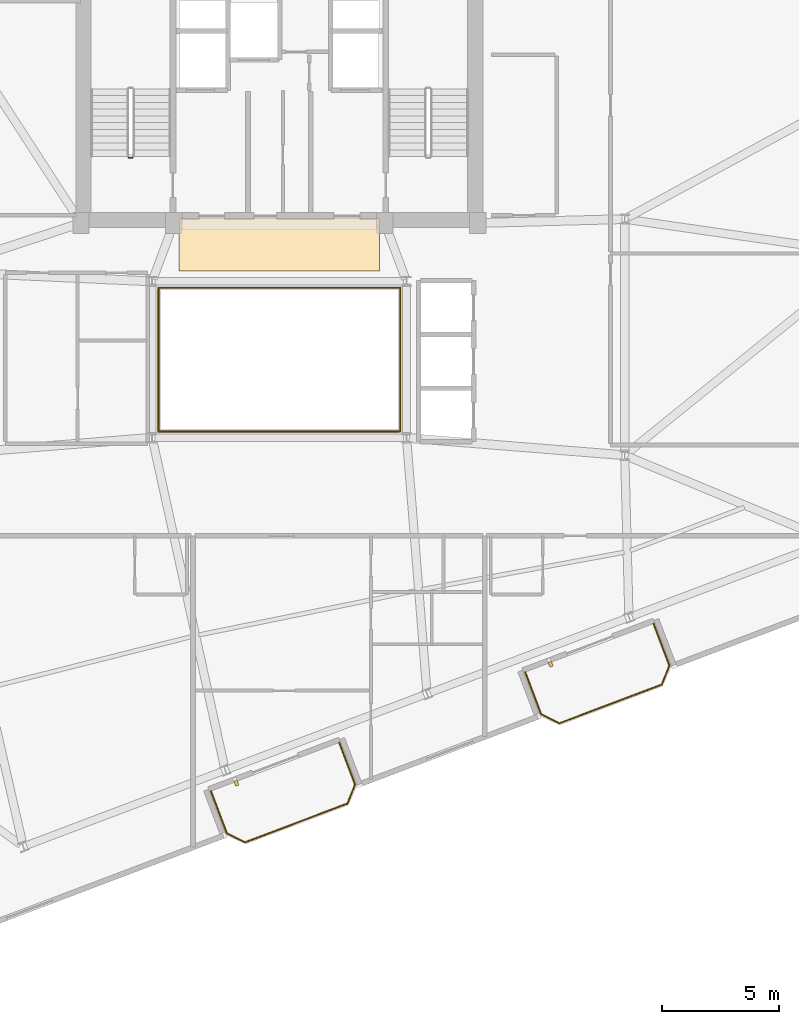
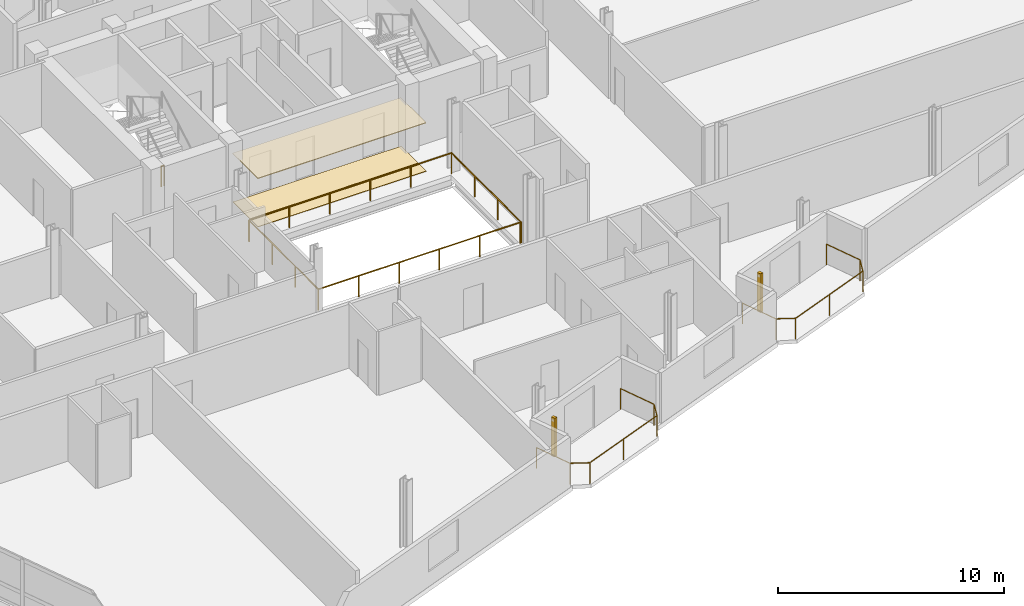
# One storey, part 22 of 23: 5 railings, 2 coverings, 2 shading devices.
"""IFC4 building model written with IfcOpenShell, lengths in metres."""

import ifcopenshell
import ifcopenshell.guid

model = None  # the IFC model being written
_history = None  # IfcOwnerHistory: only IFC2X3 demands one
_inside = {}  # id of a spatial element -> (the spatial element, [elements in it])
_under = {}  # id of a project, library or spatial element -> (it, [spatial elements below it])
_declared = {}  # id of a project -> (the project, [libraries it declares])
_typed = {}  # id of a type object -> (the type object, [elements of that type])
_made_of = {}  # id of a material, layer set ... -> (it, [elements and type objects made of it])


def new_model(schema):
    """Start an empty IFC model of exactly this schema.

    Asked for "IFC4X3", IfcOpenShell would pick the latest addendum, in which some entities
    have other attributes; the version numbers below select the first issue.
    IFC2X3 requires an IfcOwnerHistory on every rooted entity: one is made here for all.
    """
    global model, _history
    if schema == "IFC4X3":
        model = ifcopenshell.file(schema_version=(4, 3, 0, 0))
    else:
        model = ifcopenshell.file(schema=schema)
    _inside.clear()
    _under.clear()
    _declared.clear()
    _typed.clear()
    _made_of.clear()
    _history = None
    if model.schema == "IFC2X3":
        org = make("IfcOrganization", Name="unknown")
        user = make(
            "IfcPersonAndOrganization",
            ThePerson=make("IfcPerson", FamilyName="unknown"),
            TheOrganization=org,
        )
        app = make(
            "IfcApplication",
            ApplicationDeveloper=org,
            Version="unknown",
            ApplicationFullName="unknown",
            ApplicationIdentifier="unknown",
        )
        _history = make(
            "IfcOwnerHistory",
            OwningUser=user,
            OwningApplication=app,
            ChangeAction="ADDED",
            CreationDate=0,
        )
    return model


def make(cls, **values):
    """One entity of the class cls with the attributes given. An attribute that is None is left unset."""
    return model.create_entity(
        cls, **{name: value for name, value in values.items() if value is not None}
    )


def rooted(cls, **values):
    """An entity with a GlobalId (a new one), such as an element, a storey or a relation."""
    return make(cls, GlobalId=ifcopenshell.guid.new(), OwnerHistory=_history, **values)


def si_unit(unit_type, name, prefix=None):
    """IfcSIUnit, for example si_unit("LENGTHUNIT", "METRE", prefix="MILLI")."""
    return make("IfcSIUnit", UnitType=unit_type, Prefix=prefix, Name=name)


def assignment(units):
    """IfcUnitAssignment: the units of a project."""
    return None if units is None else make("IfcUnitAssignment", Units=units)


def point(xyz):
    """IfcCartesianPoint."""
    return None if xyz is None else make("IfcCartesianPoint", Coordinates=xyz)


def direction(xyz):
    """IfcDirection."""
    return None if xyz is None else make("IfcDirection", DirectionRatios=xyz)


def frame(location, z_axis=None, x_axis=None):
    """IfcAxis2Placement3D, a coordinate frame: its origin and axes. An axis left out is left unset."""
    return make(
        "IfcAxis2Placement3D",
        Location=point(location),
        Axis=direction(z_axis),
        RefDirection=direction(x_axis),
    )


def frame_2d(location, x_axis=None):
    """IfcAxis2Placement2D, a coordinate frame in the plane: its origin and x axis."""
    return make(
        "IfcAxis2Placement2D", Location=point(location), RefDirection=direction(x_axis)
    )


def origin():
    """The frame at (0, 0, 0) with its axes left unset."""
    return frame((0.0, 0.0, 0.0))


def origin_2d():
    """The frame at (0, 0) in the plane with its x axis left unset."""
    return frame_2d((0.0, 0.0))


def place(relative_to, where):
    """IfcLocalPlacement: puts the frame where relative to a parent placement (None: the world)."""
    return make(
        "IfcLocalPlacement", PlacementRelTo=relative_to, RelativePlacement=where
    )


def context(
    kind, dimensions, precision=None, world=None, true_north=None, identifier=None
):
    """IfcGeometricRepresentationContext, for example the 3D "Model" context."""
    return make(
        "IfcGeometricRepresentationContext",
        ContextIdentifier=identifier,
        ContextType=kind,
        CoordinateSpaceDimension=dimensions,
        Precision=precision,
        WorldCoordinateSystem=world,
        TrueNorth=true_north,
    )


def subcontext(parent, identifier, kind, view, scale=None):
    """IfcGeometricRepresentationSubContext, for example "Body" below "Model"."""
    return make(
        "IfcGeometricRepresentationSubContext",
        ContextIdentifier=identifier,
        ContextType=kind,
        ParentContext=parent,
        TargetScale=scale,
        TargetView=view,
    )


def project(units=None, contexts=None):
    """IfcProject with its units and contexts."""
    return rooted(
        "IfcProject",
        Name="project",
        RepresentationContexts=contexts,
        UnitsInContext=assignment(units),
    )


def spatial(cls, under=None, at=None, **own):
    """A site, building, storey or space (cls), placed at a placement, below another one or the project."""
    s = rooted(cls, ObjectPlacement=at, **own)
    if under is not None:
        _under.setdefault(under.id(), (under, []))[1].append(s)
    return s


def profile(cls, at=None, kind="AREA", **sizes):
    """A parametric profile (cls). Its sizes go by their IFC names, for example OverallWidth=200.0."""
    return make(cls, ProfileType=kind, Position=at, **sizes)


def rectangle(**sizes):
    """IfcRectangleProfileDef."""
    return profile("IfcRectangleProfileDef", **sizes)


def circle(**sizes):
    """IfcCircleProfileDef."""
    return profile("IfcCircleProfileDef", **sizes)


def extrude(swept, where, along, depth):
    """IfcExtrudedAreaSolid: the profile swept, set in the frame where, extruded along a direction by depth."""
    return make(
        "IfcExtrudedAreaSolid",
        SweptArea=swept,
        Position=where,
        ExtrudedDirection=direction(along),
        Depth=depth,
    )


def shape(context_of_items, identifier, shape_type, items):
    """IfcShapeRepresentation: the items that make up one representation, for example the "Body"."""
    return make(
        "IfcShapeRepresentation",
        ContextOfItems=context_of_items,
        RepresentationIdentifier=identifier,
        RepresentationType=shape_type,
        Items=items,
    )


def source(mapping_origin, context_of_items, identifier, shape_type, items):
    """IfcRepresentationMap: a shape defined once, which mapped items show again and again."""
    return make(
        "IfcRepresentationMap",
        MappingOrigin=mapping_origin,
        MappedRepresentation=shape(context_of_items, identifier, shape_type, items),
    )


def transform(
    local_origin,
    x_axis=None,
    y_axis=None,
    z_axis=None,
    scale=None,
    scale2=None,
    scale3=None,
    uniform=True,
):
    """IfcCartesianTransformationOperator3D, or its non-uniform kind. x_axis, y_axis, z_axis: its Axis1, 2, 3."""
    if uniform:
        return make(
            "IfcCartesianTransformationOperator3D",
            Axis1=direction(x_axis),
            Axis2=direction(y_axis),
            LocalOrigin=point(local_origin),
            Scale=scale,
            Axis3=direction(z_axis),
        )
    return make(
        "IfcCartesianTransformationOperator3DnonUniform",
        Axis1=direction(x_axis),
        Axis2=direction(y_axis),
        LocalOrigin=point(local_origin),
        Scale=scale,
        Axis3=direction(z_axis),
        Scale2=scale2,
        Scale3=scale3,
    )


def mapped(mapping_source, mapping_target):
    """IfcMappedItem: shows the shape of a source again, moved by a transform."""
    return make(
        "IfcMappedItem", MappingSource=mapping_source, MappingTarget=mapping_target
    )


def material(Name=None, Category=None):
    """IfcMaterial."""
    return make("IfcMaterial", Name=Name, Category=Category)


def layer(
    of_material, thickness, ventilated=None, Name=None, Category=None, Priority=None
):
    """IfcMaterialLayer: one layer of a wall or slab, of a material (None: an air gap)."""
    return make(
        "IfcMaterialLayer",
        Material=of_material,
        LayerThickness=thickness,
        IsVentilated=ventilated,
        Name=Name,
        Category=Category,
        Priority=Priority,
    )


def layer_set(layers, Name=None):
    """IfcMaterialLayerSet."""
    return make("IfcMaterialLayerSet", MaterialLayers=layers, LayerSetName=Name)


def made_of(thing, what):
    """Note that an element or type object is made of a material, layer set ...; save() writes the relation."""
    if what is not None:
        _made_of.setdefault(what.id(), (what, []))[1].append(thing)
    return thing


def type_object(cls, material=None, **own):
    """A type object (cls), such as IfcWallType, which elements share."""
    return made_of(rooted(cls, **own), material)


def element(
    cls,
    number,
    at=None,
    inside=None,
    cuts=None,
    type_object=None,
    material=None,
    context=None,
    identifier="Body",
    shape_type=None,
    held_by="IfcProductDefinitionShape",
    body=None,
    shapes=None,
    **own,
):
    """One element of the class cls, such as IfcWall. Its Tag is "e" and its number.

    at: its placement. inside: the storey or other place that contains it. cuts: it is an
    opening in that element (IfcRelVoidsElement). A single representation is given by context,
    identifier, shape_type and body (its items); several are given by shapes. held_by: the class
    of the entity that holds the representations. save() writes the other relations.
    """
    e = rooted(cls, Tag="e%d" % number, ObjectPlacement=at, **own)
    if body is not None:
        shapes = [shape(context, identifier, shape_type, body)]
    if shapes is not None:
        e.Representation = make(held_by, Representations=shapes)
    if inside is not None:
        _inside.setdefault(inside.id(), (inside, []))[1].append(e)
    if cuts is not None:
        rooted(
            "IfcRelVoidsElement", RelatingBuildingElement=cuts, RelatedOpeningElement=e
        )
    if type_object is not None:
        _typed.setdefault(type_object.id(), (type_object, []))[1].append(e)
    return made_of(e, material)


def aggregate(whole, parts):
    """IfcRelAggregates: a whole, such as a stair, and the parts it consists of."""
    return rooted("IfcRelAggregates", RelatingObject=whole, RelatedObjects=parts)


def save(model, path):
    """Write the relations noted so far, then the file.

    IfcRelAggregates (storeys below a building ...), IfcRelContainedInSpatialStructure (elements
    in a storey), IfcRelDefinesByType, IfcRelAssociatesMaterial and IfcRelDeclares: one each for
    every whole, place, type object, material and project.
    """
    for whole, parts in _under.values():
        aggregate(whole, parts)
    for where, things in _inside.values():
        rooted(
            "IfcRelContainedInSpatialStructure",
            RelatedElements=things,
            RelatingStructure=where,
        )
    for kind, things in _typed.values():
        rooted("IfcRelDefinesByType", RelatedObjects=things, RelatingType=kind)
    for what, things in _made_of.values():
        rooted("IfcRelAssociatesMaterial", RelatedObjects=things, RelatingMaterial=what)
    for by, libraries in _declared.values():
        rooted("IfcRelDeclares", RelatingContext=by, RelatedDefinitions=libraries)
    model.write(path)


model = new_model("IFC4")

# Units and contexts
model_context = context("Model", 3, precision=1e-05, world=origin(), true_north=direction((0.0, 1.0)))
body_context = subcontext(model_context, "Body", "Model", "MODEL_VIEW")
ifc_project = project(units=[si_unit("LENGTHUNIT", "METRE"), si_unit("AREAUNIT", "SQUARE_METRE"), si_unit("VOLUMEUNIT", "CUBIC_METRE"), si_unit("PLANEANGLEUNIT", "RADIAN"), si_unit("MASSUNIT", "GRAM", prefix="KILO")], contexts=[model_context])

# Site, building, storey
site_placement = place(None, origin())
site = spatial("IfcSite", under=ifc_project, at=site_placement, CompositionType="ELEMENT")
building_placement = place(site_placement, origin())
building = spatial("IfcBuilding", under=site, at=building_placement, Name="Varnelok Gate Tower", CompositionType="ELEMENT")
storey_placement = place(building_placement, frame((0.0, 0.0, 227.5)))
storey = spatial("IfcBuildingStorey", under=building, at=storey_placement, Name="L58", CompositionType="ELEMENT", Elevation=227.5)

# Railings
ifc_material_1 = material(Name="Tempered Laminated Balustrade Glass", Category="glass")
railing_type_1 = type_object("IfcRailingType", Name="RL-ATR-GUARD1150", PredefinedType="GUARDRAIL", material=ifc_material_1)
railing_1_placement = place(storey_placement, frame((34.02001953125, 25.929931640625, 0.0)))
element("IfcRailing", 1, at=railing_1_placement, inside=storey, type_object=railing_type_1, Name="L58 Internal Atrium South-West Guardrail", PredefinedType="GUARDRAIL", context=body_context, shape_type="SweptSolid", body=[
    extrude(circle(Radius=0.02392578125, at=origin_2d()), frame((0.0, 0.0, 1.1259765625), z_axis=(0.0, -1.0, 0.0), x_axis=(1.0, 0.0, 0.0)), (0.0, 0.0, 1.0), 6.10986328125),
    extrude(circle(Radius=0.02392578125, at=origin_2d()), frame((0.0, -6.10986328125, 1.1259765625), z_axis=(1.0, 0.0, 0.0), x_axis=(0.0, 1.0, 0.0)), (0.0, 0.0, 1.0), 10.31005859375),
    extrude(circle(Radius=0.02099609375, at=origin_2d()), origin(), (0.0, 0.0, 1.0), 1.101806640625),
    extrude(circle(Radius=0.02099609375, at=origin_2d()), frame((0.0, -2.03662109375, 0.0)), (0.0, 0.0, 1.0), 1.101806640625),
    extrude(circle(Radius=0.02099609375, at=origin_2d()), frame((0.0, -4.0732421875, 0.0)), (0.0, 0.0, 1.0), 1.101806640625),
    extrude(circle(Radius=0.02099609375, at=origin_2d()), frame((0.0, -6.10986328125, 0.0)), (0.0, 0.0, 1.0), 1.101806640625),
    extrude(circle(Radius=0.02099609375, at=origin_2d()), frame((2.06201171875, -6.10986328125, 0.0)), (0.0, 0.0, 1.0), 1.101806640625),
    extrude(circle(Radius=0.02099609375, at=origin_2d()), frame((4.1240234375, -6.10986328125, 0.0)), (0.0, 0.0, 1.0), 1.101806640625),
    extrude(circle(Radius=0.02099609375, at=origin_2d()), frame((6.18603515625, -6.10986328125, 0.0)), (0.0, 0.0, 1.0), 1.101806640625),
    extrude(circle(Radius=0.02099609375, at=origin_2d()), frame((8.248046875, -6.10986328125, 0.0)), (0.0, 0.0, 1.0), 1.101806640625),
    extrude(circle(Radius=0.02099609375, at=origin_2d()), frame((10.31005859375, -6.10986328125, 0.0)), (0.0, 0.0, 1.0), 1.101806640625),
])
railing_2_placement = place(storey_placement, frame((44.3798828125, 19.820068359375, 0.0)))
element("IfcRailing", 2, at=railing_2_placement, inside=storey, type_object=railing_type_1, Name="L58 Internal Atrium North-East Guardrail", PredefinedType="GUARDRAIL", context=body_context, shape_type="SweptSolid", body=[
    extrude(circle(Radius=0.02392578125, at=origin_2d()), frame((0.0, 0.0, 1.1259765625), z_axis=(0.0, 1.0, 0.0), x_axis=(-1.0, 0.0, 0.0)), (0.0, 0.0, 1.0), 6.159912109375),
    extrude(circle(Radius=0.02392578125, at=origin_2d()), frame((0.0, 6.159912109375, 1.1259765625), z_axis=(-1.0, 0.0, 0.0), x_axis=(0.0, -1.0, 0.0)), (0.0, 0.0, 1.0), 10.35986328125),
    extrude(circle(Radius=0.02099609375, at=origin_2d()), origin(), (0.0, 0.0, 1.0), 1.101806640625),
    extrude(circle(Radius=0.02099609375, at=origin_2d()), frame((0.0, 2.05322265625, 0.0)), (0.0, 0.0, 1.0), 1.101806640625),
    extrude(circle(Radius=0.02099609375, at=origin_2d()), frame((0.0, 4.106689453125, 0.0)), (0.0, 0.0, 1.0), 1.101806640625),
    extrude(circle(Radius=0.02099609375, at=origin_2d()), frame((0.0, 6.159912109375, 0.0)), (0.0, 0.0, 1.0), 1.101806640625),
    extrude(circle(Radius=0.02099609375, at=origin_2d()), frame((-2.072021484375, 6.159912109375, 0.0)), (0.0, 0.0, 1.0), 1.101806640625),
    extrude(circle(Radius=0.02099609375, at=origin_2d()), frame((-4.14404296875, 6.159912109375, 0.0)), (0.0, 0.0, 1.0), 1.101806640625),
    extrude(circle(Radius=0.02099609375, at=origin_2d()), frame((-6.2158203125, 6.159912109375, 0.0)), (0.0, 0.0, 1.0), 1.101806640625),
    extrude(circle(Radius=0.02099609375, at=origin_2d()), frame((-8.287841796875, 6.159912109375, 0.0)), (0.0, 0.0, 1.0), 1.101806640625),
    extrude(circle(Radius=0.02099609375, at=origin_2d()), frame((-10.35986328125, 6.159912109375, 0.0)), (0.0, 0.0, 1.0), 1.101806640625),
])
ifc_material_2 = material(Name="Low-E Laminated Double Glazing IGU", Category="glass")
railing_type_2 = type_object("IfcRailingType", Name="RL-BALC-1150", PredefinedType="BALUSTRADE", material=ifc_material_2)
railing_3_placement = place(storey_placement, frame((36.26708984375, 4.408203125, 0.0)))
element("IfcRailing", 3, at=railing_3_placement, inside=storey, type_object=railing_type_2, Name="L58 South Terrace Balustrade 1", PredefinedType="BALUSTRADE", context=body_context, shape_type="SweptSolid", body=[
    extrude(circle(Radius=0.02392578125, at=origin_2d()), frame((0.0, 0.0, 1.1259765625), z_axis=(0.354006333352, -0.935243025073, 0.0), x_axis=(0.935243025073, 0.354006333352, 0.0)), (0.0, 0.0, 1.0), 1.919921875),
    extrude(circle(Radius=0.02392578125, at=origin_2d()), frame((0.6796875, -1.795654296875, 1.1259765625), z_axis=(0.89078254773, -0.454429810487, 0.0), x_axis=(0.454429810487, 0.89078254773, 0.0)), (0.0, 0.0, 1.0), 0.8779296875),
    extrude(circle(Radius=0.02392578125, at=origin_2d()), frame((1.461669921875, -2.194580078125, 1.1259765625), z_axis=(0.935223045203, 0.354059113314, 0.0), x_axis=(-0.354059113314, 0.935223045203, 0.0)), (0.0, 0.0, 1.0), 4.699951171875),
    extrude(circle(Radius=0.02392578125, at=origin_2d()), frame((5.857177734375, -0.530517578125, 1.1259765625), z_axis=(0.366254584666, 0.930514685113, 0.0), x_axis=(-0.930514685113, 0.366254584666, 0.0)), (0.0, 0.0, 1.0), 0.8779296875),
    extrude(circle(Radius=0.02392578125, at=origin_2d()), frame((6.1787109375, 0.286376953125, 1.1259765625), z_axis=(-0.354048437536, 0.935227086797, 0.0), x_axis=(-0.935227086797, -0.354048437536, 0.0)), (0.0, 0.0, 1.0), 1.919677734375),
    extrude(circle(Radius=0.02099609375, at=origin_2d()), origin(), (0.0, 0.0, 1.0), 1.101806640625),
    extrude(circle(Radius=0.02099609375, at=origin_2d()), frame((0.6796875, -1.795654296875, 0.0)), (0.0, 0.0, 1.0), 1.101806640625),
    extrude(circle(Radius=0.02099609375, at=origin_2d()), frame((1.461669921875, -2.194580078125, 0.0)), (0.0, 0.0, 1.0), 1.101806640625),
    extrude(circle(Radius=0.02099609375, at=origin_2d()), frame((3.659423828125, -1.362548828125, 0.0)), (0.0, 0.0, 1.0), 1.101806640625),
    extrude(circle(Radius=0.02099609375, at=origin_2d()), frame((5.857177734375, -0.530517578125, 0.0)), (0.0, 0.0, 1.0), 1.101806640625),
    extrude(circle(Radius=0.02099609375, at=origin_2d()), frame((6.1787109375, 0.286376953125, 0.0)), (0.0, 0.0, 1.0), 1.101806640625),
    extrude(circle(Radius=0.02099609375, at=origin_2d()), frame((5.4990234375, 2.081787109375, 0.0)), (0.0, 0.0, 1.0), 1.101806640625),
])
railing_4_placement = place(storey_placement, frame((49.734130859375, 9.506591796875, 0.0)))
element("IfcRailing", 4, at=railing_4_placement, inside=storey, type_object=railing_type_2, Name="L58 South Terrace Balustrade 2", PredefinedType="BALUSTRADE", context=body_context, shape_type="SweptSolid", body=[
    extrude(circle(Radius=0.02392578125, at=origin_2d()), frame((0.0, 0.0, 1.1259765625), z_axis=(0.354159661475, -0.935184973245, 0.0), x_axis=(0.935184973245, 0.354159661475, 0.0)), (0.0, 0.0, 1.0), 1.919921875),
    extrude(circle(Radius=0.02392578125, at=origin_2d()), frame((0.679931640625, -1.79541015625, 1.1259765625), z_axis=(0.890612455555, -0.454763074589, 0.0), x_axis=(0.454763074589, 0.890612455555, 0.0)), (0.0, 0.0, 1.0), 0.877685546875),
    extrude(circle(Radius=0.02392578125, at=origin_2d()), frame((1.461669921875, -2.194580078125, 1.1259765625), z_axis=(0.935212356898, 0.354087344458, 0.0), x_axis=(-0.354087344458, 0.935212356898, 0.0)), (0.0, 0.0, 1.0), 4.7001953125),
    extrude(circle(Radius=0.02392578125, at=origin_2d()), frame((5.857421875, -0.5302734375, 1.1259765625), z_axis=(0.366349384437, 0.930477365938, 0.0), x_axis=(-0.930477365938, 0.366349384437, 0.0)), (0.0, 0.0, 1.0), 0.877685546875),
    extrude(circle(Radius=0.02392578125, at=origin_2d()), frame((6.178955078125, 0.286376953125, 1.1259765625), z_axis=(-0.354006333352, 0.935243025073, 0.0), x_axis=(-0.935243025073, -0.354006333352, 0.0)), (0.0, 0.0, 1.0), 1.919921875),
    extrude(circle(Radius=0.02099609375, at=origin_2d()), origin(), (0.0, 0.0, 1.0), 1.101806640625),
    extrude(circle(Radius=0.02099609375, at=origin_2d()), frame((0.679931640625, -1.79541015625, 0.0)), (0.0, 0.0, 1.0), 1.101806640625),
    extrude(circle(Radius=0.02099609375, at=origin_2d()), frame((1.461669921875, -2.194580078125, 0.0)), (0.0, 0.0, 1.0), 1.101806640625),
    extrude(circle(Radius=0.02099609375, at=origin_2d()), frame((3.65966796875, -1.3623046875, 0.0)), (0.0, 0.0, 1.0), 1.101806640625),
    extrude(circle(Radius=0.02099609375, at=origin_2d()), frame((5.857421875, -0.5302734375, 0.0)), (0.0, 0.0, 1.0), 1.101806640625),
    extrude(circle(Radius=0.02099609375, at=origin_2d()), frame((6.178955078125, 0.286376953125, 0.0)), (0.0, 0.0, 1.0), 1.101806640625),
    extrude(circle(Radius=0.02099609375, at=origin_2d()), frame((5.499267578125, 2.08203125, 0.0)), (0.0, 0.0, 1.0), 1.101806640625),
])
ifc_material_3 = material(Name="Galvanized Steel Grade S350GD", Category="steel")
railing_type_3 = type_object("IfcRailingType", Name="RL-STAIR-GUARD1120", PredefinedType="GUARDRAIL", material=ifc_material_3)
railing_5_placement = place(storey_placement, frame((32.89990234375, 31.550048828125, 0.0)))
element("IfcRailing", 5, at=railing_5_placement, inside=storey, type_object=railing_type_3, Name="L58 ST-1 stair guard 4", PredefinedType="GUARDRAIL", context=body_context, shape_type="SweptSolid", body=[
    extrude(circle(Radius=0.02392578125, at=origin_2d()), frame((0.0, 0.0, 1.09619140625), z_axis=(-1.0, 0.0, 0.0), x_axis=(0.0, -1.0, 0.0)), (0.0, 0.0, 1.0), 0.14990234375),
    extrude(circle(Radius=0.02099609375, at=origin_2d()), origin(), (0.0, 0.0, 1.0), 1.072021484375),
    extrude(circle(Radius=0.02099609375, at=origin_2d()), frame((-0.14990234375, 0.0, 0.0)), (0.0, 0.0, 1.0), 1.072021484375),
])

# Shading devices
ifc_material_4 = material(Name="Glazed Architectural Terracotta Ceramic", Category="masonry")
shading_device_type = type_object("IfcShadingDeviceType", Name="SHD-TERRA-BAGUETTE", PredefinedType="USERDEFINED", material=ifc_material_4)
shared_shape_1 = source(origin(), body_context, "Body", "SweptSolid", [
    extrude(rectangle(XDim=0.139892578125, YDim=0.219970703125, at=origin_2d()), origin(), (0.0, 0.0, 1.0), 2.10009765625),
])
for number, where, z_axis, x_axis, name in (
    (6, (37.35791015625, 4.746337890625, 0.099853515625), (0.0, 0.0, 1.0), (0.935221751401, 0.354062530786, 0.0), "L58 Terracotta Ceramic Baguette Sunscreen 1.1"),
    (7, (50.8251953125, 9.844970703125, 0.099853515625), (0.0, 0.0, 1.0), (0.935221751401, 0.354062530786, 0.0), "L58 Terracotta Ceramic Baguette Sunscreen 2.1"),
):
    element("IfcShadingDevice", number, at=place(storey_placement, frame(where, z_axis=z_axis, x_axis=x_axis)), inside=storey, type_object=shading_device_type, Name=name, ObjectType="BAGUETTE", PredefinedType="USERDEFINED", context=body_context, shape_type="MappedRepresentation", body=[
        mapped(shared_shape_1, transform((0.0, 0.0, 0.0), scale=1.0)),
    ])

# Coverings
ifc_material_5 = material(Name="Honed Travertine Stone Flooring", Category="masonry")
ifc_layer_1 = layer(ifc_material_5, 0.02490234375)
ifc_layer_set_1 = layer_set([ifc_layer_1], Name="Honed Travertine Stone Flooring")
covering_type_1 = type_object("IfcCoveringType", Name="COV-FLOR-STONE", PredefinedType="FLOORING", material=ifc_layer_set_1)
shared_shape_2 = source(origin(), body_context, "Body", "SweptSolid", [
    extrude(rectangle(XDim=8.60009765625, YDim=2.219970703125, at=origin_2d()), origin(), (0.0, 0.0, 1.0), 0.02490234375),
])
covering_1_placement = place(storey_placement, frame((39.199951171875, 27.800048828125, 0.0), z_axis=(0.0, 0.0, 1.0), x_axis=(1.0, 0.0, 0.0)))
element("IfcCovering", 8, at=covering_1_placement, inside=storey, type_object=covering_type_1, Name="L58 Core Gallery Stone Flooring", PredefinedType="FLOORING", context=body_context, shape_type="MappedRepresentation", body=[
    mapped(shared_shape_2, transform((0.0, 0.0, 0.0), scale=1.0)),
])
ifc_material_6 = material(Name="Mineral Fiber Acoustic Ceiling Tile")
ifc_layer_2 = layer(ifc_material_6, 0.0400390625)
ifc_layer_set_2 = layer_set([ifc_layer_2], Name="Mineral Fiber Acoustic Ceiling Tile")
covering_type_2 = type_object("IfcCoveringType", Name="COV-CEIL-ACOUST", PredefinedType="CEILING", material=ifc_layer_set_2)
shared_shape_3 = source(origin(), body_context, "Body", "SweptSolid", [
    extrude(rectangle(XDim=8.60009765625, YDim=2.239990234375, at=origin_2d()), origin(), (0.0, 0.0, 1.0), 0.0400390625),
])
covering_2_placement = place(storey_placement, frame((39.199951171875, 27.820068359375, 2.60009765625), z_axis=(0.0, 0.0, 1.0), x_axis=(1.0, 0.0, 0.0)))
element("IfcCovering", 9, at=covering_2_placement, inside=storey, type_object=covering_type_2, Name="L58 Core Gallery Acoustic Ceiling", PredefinedType="CEILING", context=body_context, shape_type="MappedRepresentation", body=[
    mapped(shared_shape_3, transform((0.0, 0.0, 0.0), scale=1.0)),
])

save(model, "model.ifc")
